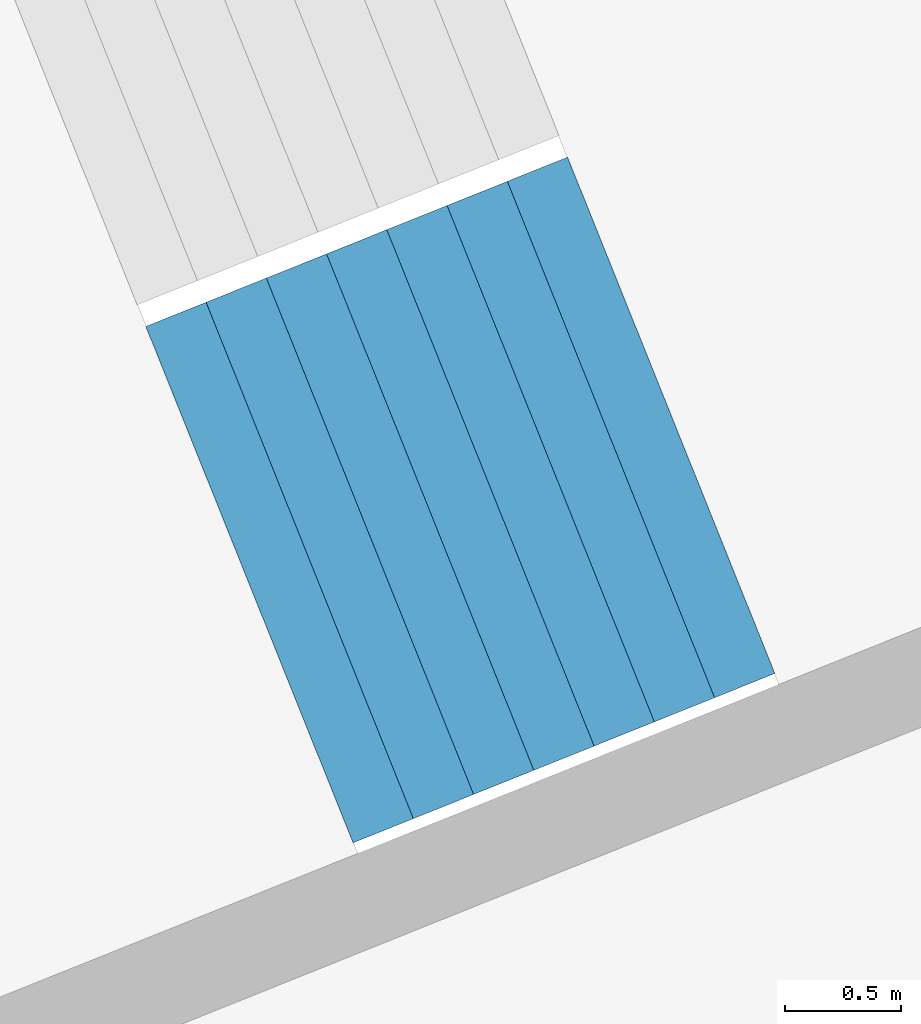
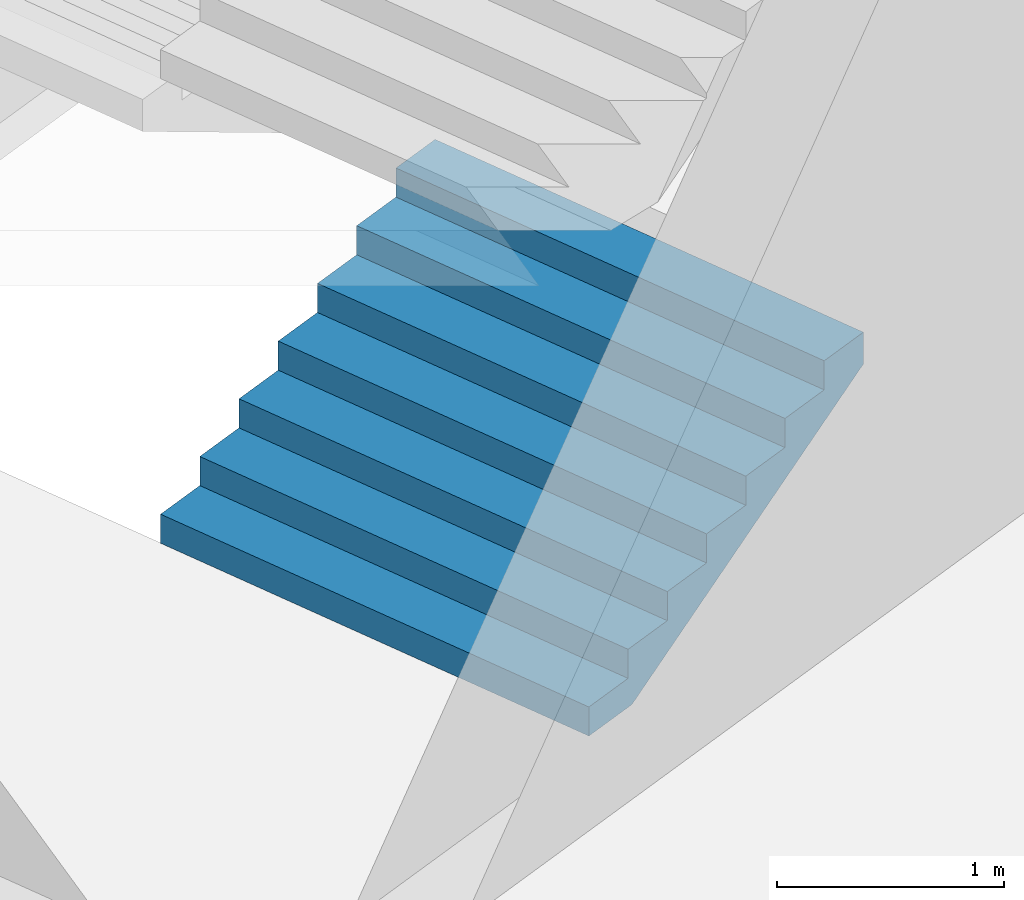
# One storey, part 65 of 73: 1 stair flight, 1 element without a shape of its own.
"""IFC4 building model written with IfcOpenShell, lengths in metres."""

from ifc_helpers import new_model, si_unit, direction, frame, origin, place, context, subcontext, project, spatial, triangles, material, type_object, element, aggregate, save


model = new_model("IFC4")

# Units and contexts
model_context = context("Model", 3, precision=1e-05, world=origin(), true_north=direction((0.0, 1.0)))
body_context = subcontext(model_context, "Body", "Model", "MODEL_VIEW")
ifc_project = project(units=[si_unit("LENGTHUNIT", "METRE"), si_unit("AREAUNIT", "SQUARE_METRE"), si_unit("VOLUMEUNIT", "CUBIC_METRE"), si_unit("PLANEANGLEUNIT", "RADIAN"), si_unit("MASSUNIT", "GRAM", prefix="KILO")], contexts=[model_context])

# Site, building, storey
site_placement = place(None, origin())
site = spatial("IfcSite", under=ifc_project, at=site_placement, CompositionType="ELEMENT")
building_placement = place(site_placement, origin())
building = spatial("IfcBuilding", under=site, at=building_placement, Name="Lantaw Convention Tower", CompositionType="ELEMENT")
storey_placement = place(building_placement, frame((0.0, 0.0, 27.0)))
storey = spatial("IfcBuildingStorey", under=building, at=storey_placement, Name="L04", CompositionType="ELEMENT", Elevation=27.0)

# Stair, stair flight
ifc_material = material(Name="Concrete C35/45", Category="concrete")
stair_type = type_object("IfcStairType", Name="Exit stair 2400 riser 156.25 in 4 flights", PredefinedType="HALF_TURN_STAIR", material=ifc_material)
stair_placement = place(storey_placement, origin())
stair = element("IfcStair", 1, at=stair_placement, inside=storey, type_object=stair_type, Name="Podium exit stair P2 L04", PredefinedType="HALF_TURN_STAIR")
stair_flight_type = type_object("IfcStairFlightType", Name="Stair flight 2400 riser 156.25", PredefinedType="STRAIGHT", material=ifc_material)
stair_flight_placement = place(storey_placement, frame((36.730712890625, 13.398193359375, 0.0), z_axis=(0.0, 0.0, 1.0), x_axis=(0.928015168305, 0.372542410198, 0.0)))
stair_flight = element("IfcStairFlight", 2, at=stair_flight_placement, type_object=stair_flight_type, Name="P2 flight 1", NumberOfRisers=8, NumberOfTreads=7, PredefinedType="STRAIGHT", RiserHeight=0.15625, TreadLength=0.28, context=body_context, shape_type="Tessellation", body=[
    triangles([(0.0, 1.199951171875, 0.0), (0.0, 1.199951171875, 0.15625), (0.28, 1.199951171875, 0.0), (0.28, 1.199951171875, 0.15625), (0.28, 1.199951171875, 0.3125), (0.3076200632058044, 1.199951171875, 0.0), (0.3076200632058044, 1.199951171875, 0.3125), (0.56, 1.199951171875, 0.14083701830033238), (0.56, 1.199951171875, 0.3125), (0.56, 1.199951171875, 0.46875), (0.8400000000000001, 1.199951171875, 0.29708701830033235), (0.8400000000000001, 1.199951171875, 0.46875), (0.8400000000000001, 1.199951171875, 0.625), (1.12, 1.199951171875, 0.45333701830033235), (1.12, 1.199951171875, 0.625), (1.12, 1.199951171875, 0.78125), (1.4000000000000001, 1.199951171875, 0.6095870183003324), (1.4000000000000001, 1.199951171875, 0.78125), (1.4000000000000001, 1.199951171875, 0.9375), (1.6800000000000002, 1.199951171875, 0.7658370183003324), (1.6800000000000002, 1.199951171875, 0.9375), (1.6800000000000002, 1.199951171875, 1.09375), (1.9600000000000002, 1.199951171875, 0.9220870183003324), (1.9600000000000002, 1.199951171875, 1.09375), (0.0, -1.199951171875, 0.0), (0.0, -1.199951171875, 0.15625), (0.28, -1.199951171875, 0.0), (0.28, -1.199951171875, 0.15625), (0.28, -1.199951171875, 0.3125), (0.3076200632058044, -1.199951171875, 0.0), (0.3076200632058044, -1.199951171875, 0.3125), (0.56, -1.199951171875, 0.14083701830033238), (0.56, -1.199951171875, 0.3125), (0.56, -1.199951171875, 0.46875), (0.8400000000000001, -1.199951171875, 0.29708701830033235), (0.8400000000000001, -1.199951171875, 0.46875), (0.8400000000000001, -1.199951171875, 0.625), (1.12, -1.199951171875, 0.45333701830033235), (1.12, -1.199951171875, 0.625), (1.12, -1.199951171875, 0.78125), (1.4000000000000001, -1.199951171875, 0.6095870183003324), (1.4000000000000001, -1.199951171875, 0.78125), (1.4000000000000001, -1.199951171875, 0.9375), (1.6800000000000002, -1.199951171875, 0.7658370183003324), (1.6800000000000002, -1.199951171875, 0.9375), (1.6800000000000002, -1.199951171875, 1.09375), (1.9600000000000002, -1.199951171875, 0.9220870183003324), (1.9600000000000002, -1.199951171875, 1.09375), (0.0, 0.239990234375, 0.15625), (0.0, 0.239990234375, 0.0), (0.0, 0.1919921875, 0.15625), (0.0, 0.1919921875, 0.0), (0.0, 0.143994140625, 0.15625), (0.0, 0.143994140625, 0.0), (0.0, 0.09599609375, 0.15625), (0.0, 0.09599609375, 0.0), (0.0, 0.047998046875, 0.15625), (0.0, 0.047998046875, 0.0), (0.0, 0.0, 0.15625), (0.0, 0.0, 0.0), (0.0, -0.047998046875, 0.15625), (0.0, -0.047998046875, 0.0), (0.0, -0.09599609375, 0.15625), (0.0, -0.09599609375, 0.0), (0.0, -0.143994140625, 0.15625), (0.0, -0.143994140625, 0.0), (0.0, -0.1919921875, 0.15625), (0.0, -0.1919921875, 0.0), (0.0, -0.239990234375, 0.15625), (0.0, -0.239990234375, 0.0), (0.28, 0.239990234375, 0.3125), (0.28, 0.239990234375, 0.15625), (0.28, 0.1919921875, 0.3125), (0.28, 0.1919921875, 0.15625), (0.28, 0.143994140625, 0.3125), (0.28, 0.143994140625, 0.15625), (0.28, 0.09599609375, 0.3125), (0.28, 0.09599609375, 0.15625), (0.28, 0.047998046875, 0.3125), (0.28, 0.047998046875, 0.15625), (0.28, 0.0, 0.3125), (0.28, 0.0, 0.15625), (0.28, -0.047998046875, 0.3125), (0.28, -0.047998046875, 0.15625), (0.28, -0.09599609375, 0.3125), (0.28, -0.09599609375, 0.15625), (0.28, -0.143994140625, 0.3125), (0.28, -0.143994140625, 0.15625), (0.28, -0.1919921875, 0.3125), (0.28, -0.1919921875, 0.15625), (0.28, -0.239990234375, 0.3125), (0.28, -0.239990234375, 0.15625), (0.56, 0.239990234375, 0.46875), (0.56, 0.239990234375, 0.3125), (0.56, 0.1919921875, 0.46875), (0.56, 0.1919921875, 0.3125), (0.56, 0.143994140625, 0.46875), (0.56, 0.143994140625, 0.3125), (0.56, 0.09599609375, 0.46875), (0.56, 0.09599609375, 0.3125), (0.56, 0.047998046875, 0.46875), (0.56, 0.047998046875, 0.3125), (0.56, 0.0, 0.46875), (0.56, 0.0, 0.3125), (0.56, -0.047998046875, 0.46875), (0.56, -0.047998046875, 0.3125), (0.56, -0.09599609375, 0.46875), (0.56, -0.09599609375, 0.3125), (0.56, -0.143994140625, 0.46875), (0.56, -0.143994140625, 0.3125), (0.56, -0.1919921875, 0.46875), (0.56, -0.1919921875, 0.3125), (0.56, -0.239990234375, 0.46875), (0.56, -0.239990234375, 0.3125), (0.8400000000000001, 0.239990234375, 0.625), (0.8400000000000001, 0.239990234375, 0.46875), (0.8400000000000001, 0.1919921875, 0.625), (0.8400000000000001, 0.1919921875, 0.46875), (0.8400000000000001, 0.143994140625, 0.625), (0.8400000000000001, 0.143994140625, 0.46875), (0.8400000000000001, 0.09599609375, 0.625), (0.8400000000000001, 0.09599609375, 0.46875), (0.8400000000000001, 0.047998046875, 0.625), (0.8400000000000001, 0.047998046875, 0.46875), (0.8400000000000001, 0.0, 0.625), (0.8400000000000001, 0.0, 0.46875), (0.8400000000000001, -0.047998046875, 0.625), (0.8400000000000001, -0.047998046875, 0.46875), (0.8400000000000001, -0.09599609375, 0.625), (0.8400000000000001, -0.09599609375, 0.46875), (0.8400000000000001, -0.143994140625, 0.625), (0.8400000000000001, -0.143994140625, 0.46875), (0.8400000000000001, -0.1919921875, 0.625), (0.8400000000000001, -0.1919921875, 0.46875), (0.8400000000000001, -0.239990234375, 0.625), (0.8400000000000001, -0.239990234375, 0.46875), (1.12, 0.239990234375, 0.78125), (1.12, 0.239990234375, 0.625), (1.12, 0.1919921875, 0.78125), (1.12, 0.1919921875, 0.625), (1.12, 0.143994140625, 0.78125), (1.12, 0.143994140625, 0.625), (1.12, 0.09599609375, 0.78125), (1.12, 0.09599609375, 0.625), (1.12, 0.047998046875, 0.78125), (1.12, 0.047998046875, 0.625), (1.12, 0.0, 0.78125), (1.12, 0.0, 0.625), (1.12, -0.047998046875, 0.78125), (1.12, -0.047998046875, 0.625), (1.12, -0.09599609375, 0.78125), (1.12, -0.09599609375, 0.625), (1.12, -0.143994140625, 0.78125), (1.12, -0.143994140625, 0.625), (1.12, -0.1919921875, 0.78125), (1.12, -0.1919921875, 0.625), (1.12, -0.239990234375, 0.78125), (1.12, -0.239990234375, 0.625), (1.4000000000000001, 0.239990234375, 0.9375), (1.4000000000000001, 0.239990234375, 0.78125), (1.4000000000000001, 0.1919921875, 0.9375), (1.4000000000000001, 0.1919921875, 0.78125), (1.4000000000000001, 0.143994140625, 0.9375), (1.4000000000000001, 0.143994140625, 0.78125), (1.4000000000000001, 0.09599609375, 0.9375), (1.4000000000000001, 0.09599609375, 0.78125), (1.4000000000000001, 0.047998046875, 0.9375), (1.4000000000000001, 0.047998046875, 0.78125), (1.4000000000000001, 0.0, 0.9375), (1.4000000000000001, 0.0, 0.78125), (1.4000000000000001, -0.047998046875, 0.9375), (1.4000000000000001, -0.047998046875, 0.78125), (1.4000000000000001, -0.09599609375, 0.9375), (1.4000000000000001, -0.09599609375, 0.78125), (1.4000000000000001, -0.143994140625, 0.9375), (1.4000000000000001, -0.143994140625, 0.78125), (1.4000000000000001, -0.1919921875, 0.9375), (1.4000000000000001, -0.1919921875, 0.78125), (1.4000000000000001, -0.239990234375, 0.9375), (1.4000000000000001, -0.239990234375, 0.78125), (1.6800000000000002, 0.239990234375, 1.09375), (1.6800000000000002, 0.239990234375, 0.9375), (1.6800000000000002, 0.1919921875, 1.09375), (1.6800000000000002, 0.1919921875, 0.9375), (1.6800000000000002, 0.143994140625, 1.09375), (1.6800000000000002, 0.143994140625, 0.9375), (1.6800000000000002, 0.09599609375, 1.09375), (1.6800000000000002, 0.09599609375, 0.9375), (1.6800000000000002, 0.047998046875, 1.09375), (1.6800000000000002, 0.047998046875, 0.9375), (1.6800000000000002, 0.0, 1.09375), (1.6800000000000002, 0.0, 0.9375), (1.6800000000000002, -0.047998046875, 1.09375), (1.6800000000000002, -0.047998046875, 0.9375), (1.6800000000000002, -0.09599609375, 1.09375), (1.6800000000000002, -0.09599609375, 0.9375), (1.6800000000000002, -0.143994140625, 1.09375), (1.6800000000000002, -0.143994140625, 0.9375), (1.6800000000000002, -0.1919921875, 1.09375), (1.6800000000000002, -0.1919921875, 0.9375), (1.6800000000000002, -0.239990234375, 1.09375), (1.6800000000000002, -0.239990234375, 0.9375), (0.3076200632058044, 0.239990234375, 0.3125), (0.3076200632058044, 0.1919921875, 0.3125), (0.3076200632058044, 0.143994140625, 0.3125), (0.3076200632058044, 0.09599609375, 0.3125), (0.3076200632058044, 0.047998046875, 0.3125), (0.3076200632058044, 0.0, 0.3125), (0.3076200632058044, -0.047998046875, 0.3125), (0.3076200632058044, -0.09599609375, 0.3125), (0.3076200632058044, -0.143994140625, 0.3125), (0.3076200632058044, -0.1919921875, 0.3125), (0.3076200632058044, -0.239990234375, 0.3125), (1.9600000000000002, 0.239990234375, 1.09375), (1.9600000000000002, 0.1919921875, 1.09375), (1.9600000000000002, 0.143994140625, 1.09375), (1.9600000000000002, 0.09599609375, 1.09375), (1.9600000000000002, 0.047998046875, 1.09375), (1.9600000000000002, 0.0, 1.09375), (1.9600000000000002, -0.047998046875, 1.09375), (1.9600000000000002, -0.09599609375, 1.09375), (1.9600000000000002, -0.143994140625, 1.09375), (1.9600000000000002, -0.1919921875, 1.09375), (1.9600000000000002, -0.239990234375, 1.09375), (1.9600000000000002, 0.239990234375, 0.9220870183003324), (1.9600000000000002, 0.1919921875, 0.9220870183003324), (1.9600000000000002, 0.143994140625, 0.9220870183003324), (1.9600000000000002, 0.09599609375, 0.9220870183003324), (1.9600000000000002, 0.047998046875, 0.9220870183003324), (1.9600000000000002, 0.0, 0.9220870183003324), (1.9600000000000002, -0.047998046875, 0.9220870183003324), (1.9600000000000002, -0.09599609375, 0.9220870183003324), (1.9600000000000002, -0.143994140625, 0.9220870183003324), (1.9600000000000002, -0.1919921875, 0.9220870183003324), (1.9600000000000002, -0.239990234375, 0.9220870183003324), (1.6800000000000002, 0.239990234375, 0.7658370183003324), (1.6800000000000002, 0.1919921875, 0.7658370183003324), (1.6800000000000002, 0.143994140625, 0.7658370183003324), (1.6800000000000002, 0.09599609375, 0.7658370183003324), (1.6800000000000002, 0.047998046875, 0.7658370183003324), (1.6800000000000002, 0.0, 0.7658370183003324), (1.6800000000000002, -0.047998046875, 0.7658370183003324), (1.6800000000000002, -0.09599609375, 0.7658370183003324), (1.6800000000000002, -0.143994140625, 0.7658370183003324), (1.6800000000000002, -0.1919921875, 0.7658370183003324), (1.6800000000000002, -0.239990234375, 0.7658370183003324), (1.4000000000000001, 0.239990234375, 0.6095870183003324), (1.4000000000000001, 0.1919921875, 0.6095870183003324), (1.4000000000000001, 0.143994140625, 0.6095870183003324), (1.4000000000000001, 0.09599609375, 0.6095870183003324), (1.4000000000000001, 0.047998046875, 0.6095870183003324), (1.4000000000000001, 0.0, 0.6095870183003324), (1.4000000000000001, -0.047998046875, 0.6095870183003324), (1.4000000000000001, -0.09599609375, 0.6095870183003324), (1.4000000000000001, -0.143994140625, 0.6095870183003324), (1.4000000000000001, -0.1919921875, 0.6095870183003324), (1.4000000000000001, -0.239990234375, 0.6095870183003324), (1.12, 0.239990234375, 0.45333701830033235), (1.12, 0.1919921875, 0.45333701830033235), (1.12, 0.143994140625, 0.45333701830033235), (1.12, 0.09599609375, 0.45333701830033235), (1.12, 0.047998046875, 0.45333701830033235), (1.12, 0.0, 0.45333701830033235), (1.12, -0.047998046875, 0.45333701830033235), (1.12, -0.09599609375, 0.45333701830033235), (1.12, -0.143994140625, 0.45333701830033235), (1.12, -0.1919921875, 0.45333701830033235), (1.12, -0.239990234375, 0.45333701830033235), (0.8400000000000001, 0.239990234375, 0.29708701830033235), (0.8400000000000001, 0.1919921875, 0.29708701830033235), (0.8400000000000001, 0.143994140625, 0.29708701830033235), (0.8400000000000001, 0.09599609375, 0.29708701830033235), (0.8400000000000001, 0.047998046875, 0.29708701830033235), (0.8400000000000001, 0.0, 0.29708701830033235), (0.8400000000000001, -0.047998046875, 0.29708701830033235), (0.8400000000000001, -0.09599609375, 0.29708701830033235), (0.8400000000000001, -0.143994140625, 0.29708701830033235), (0.8400000000000001, -0.1919921875, 0.29708701830033235), (0.8400000000000001, -0.239990234375, 0.29708701830033235), (0.56, 0.239990234375, 0.14083701830033238), (0.56, 0.1919921875, 0.14083701830033238), (0.56, 0.143994140625, 0.14083701830033238), (0.56, 0.09599609375, 0.14083701830033238), (0.56, 0.047998046875, 0.14083701830033238), (0.56, 0.0, 0.14083701830033238), (0.56, -0.047998046875, 0.14083701830033238), (0.56, -0.09599609375, 0.14083701830033238), (0.56, -0.143994140625, 0.14083701830033238), (0.56, -0.1919921875, 0.14083701830033238), (0.56, -0.239990234375, 0.14083701830033238), (0.3076200632058044, 0.239990234375, 0.0), (0.3076200632058044, 0.1919921875, 0.0), (0.3076200632058044, 0.143994140625, 0.0), (0.3076200632058044, 0.09599609375, 0.0), (0.3076200632058044, 0.047998046875, 0.0), (0.3076200632058044, 0.0, 0.0), (0.3076200632058044, -0.047998046875, 0.0), (0.3076200632058044, -0.09599609375, 0.0), (0.3076200632058044, -0.143994140625, 0.0), (0.3076200632058044, -0.1919921875, 0.0), (0.3076200632058044, -0.239990234375, 0.0), (0.28, 0.239990234375, 0.0), (0.28, 0.1919921875, 0.0), (0.28, 0.143994140625, 0.0), (0.28, 0.09599609375, 0.0), (0.28, 0.047998046875, 0.0), (0.28, 0.0, 0.0), (0.28, -0.047998046875, 0.0), (0.28, -0.09599609375, 0.0), (0.28, -0.143994140625, 0.0), (0.28, -0.1919921875, 0.0), (0.28, -0.239990234375, 0.0)], [[1, 4, 3], [1, 2, 4], [3, 4, 6], [4, 7, 6], [4, 5, 7], [6, 9, 8], [6, 7, 9], [8, 9, 11], [9, 12, 11], [9, 10, 12], [11, 12, 14], [12, 15, 14], [12, 13, 15], [14, 15, 17], [15, 18, 17], [15, 16, 18], [17, 18, 20], [18, 21, 20], [18, 19, 21], [20, 21, 23], [21, 24, 23], [21, 22, 24], [25, 27, 28], [25, 28, 26], [27, 30, 28], [28, 30, 31], [28, 31, 29], [30, 32, 33], [30, 33, 31], [32, 35, 33], [33, 35, 36], [33, 36, 34], [35, 38, 36], [36, 38, 39], [36, 39, 37], [38, 41, 39], [39, 41, 42], [39, 42, 40], [41, 44, 42], [42, 44, 45], [42, 45, 43], [44, 47, 45], [45, 47, 48], [45, 48, 46], [1, 49, 2], [1, 50, 49], [50, 51, 49], [50, 52, 51], [52, 53, 51], [52, 54, 53], [54, 55, 53], [54, 56, 55], [56, 57, 55], [56, 58, 57], [58, 59, 57], [58, 60, 59], [60, 61, 59], [60, 62, 61], [62, 63, 61], [62, 64, 63], [64, 65, 63], [64, 66, 65], [66, 67, 65], [66, 68, 67], [68, 69, 67], [68, 70, 69], [70, 26, 69], [70, 25, 26], [4, 71, 5], [4, 72, 71], [72, 73, 71], [72, 74, 73], [74, 75, 73], [74, 76, 75], [76, 77, 75], [76, 78, 77], [78, 79, 77], [78, 80, 79], [80, 81, 79], [80, 82, 81], [82, 83, 81], [82, 84, 83], [84, 85, 83], [84, 86, 85], [86, 87, 85], [86, 88, 87], [88, 89, 87], [88, 90, 89], [90, 91, 89], [90, 92, 91], [92, 29, 91], [92, 28, 29], [9, 93, 10], [9, 94, 93], [94, 95, 93], [94, 96, 95], [96, 97, 95], [96, 98, 97], [98, 99, 97], [98, 100, 99], [100, 101, 99], [100, 102, 101], [102, 103, 101], [102, 104, 103], [104, 105, 103], [104, 106, 105], [106, 107, 105], [106, 108, 107], [108, 109, 107], [108, 110, 109], [110, 111, 109], [110, 112, 111], [112, 113, 111], [112, 114, 113], [114, 34, 113], [114, 33, 34], [12, 115, 13], [12, 116, 115], [116, 117, 115], [116, 118, 117], [118, 119, 117], [118, 120, 119], [120, 121, 119], [120, 122, 121], [122, 123, 121], [122, 124, 123], [124, 125, 123], [124, 126, 125], [126, 127, 125], [126, 128, 127], [128, 129, 127], [128, 130, 129], [130, 131, 129], [130, 132, 131], [132, 133, 131], [132, 134, 133], [134, 135, 133], [134, 136, 135], [136, 37, 135], [136, 36, 37], [15, 137, 16], [15, 138, 137], [138, 139, 137], [138, 140, 139], [140, 141, 139], [140, 142, 141], [142, 143, 141], [142, 144, 143], [144, 145, 143], [144, 146, 145], [146, 147, 145], [146, 148, 147], [148, 149, 147], [148, 150, 149], [150, 151, 149], [150, 152, 151], [152, 153, 151], [152, 154, 153], [154, 155, 153], [154, 156, 155], [156, 157, 155], [156, 158, 157], [158, 40, 157], [158, 39, 40], [18, 159, 19], [18, 160, 159], [160, 161, 159], [160, 162, 161], [162, 163, 161], [162, 164, 163], [164, 165, 163], [164, 166, 165], [166, 167, 165], [166, 168, 167], [168, 169, 167], [168, 170, 169], [170, 171, 169], [170, 172, 171], [172, 173, 171], [172, 174, 173], [174, 175, 173], [174, 176, 175], [176, 177, 175], [176, 178, 177], [178, 179, 177], [178, 180, 179], [180, 43, 179], [180, 42, 43], [21, 181, 22], [21, 182, 181], [182, 183, 181], [182, 184, 183], [184, 185, 183], [184, 186, 185], [186, 187, 185], [186, 188, 187], [188, 189, 187], [188, 190, 189], [190, 191, 189], [190, 192, 191], [192, 193, 191], [192, 194, 193], [194, 195, 193], [194, 196, 195], [196, 197, 195], [196, 198, 197], [198, 199, 197], [198, 200, 199], [200, 201, 199], [200, 202, 201], [202, 46, 201], [202, 45, 46], [2, 72, 4], [2, 49, 72], [49, 74, 72], [49, 51, 74], [51, 76, 74], [51, 53, 76], [53, 78, 76], [53, 55, 78], [55, 80, 78], [55, 57, 80], [57, 82, 80], [57, 59, 82], [59, 84, 82], [59, 61, 84], [61, 86, 84], [61, 63, 86], [63, 88, 86], [63, 65, 88], [65, 90, 88], [65, 67, 90], [67, 92, 90], [67, 69, 92], [69, 28, 92], [69, 26, 28], [5, 203, 7], [5, 71, 203], [71, 204, 203], [71, 73, 204], [73, 205, 204], [73, 75, 205], [75, 206, 205], [75, 77, 206], [77, 207, 206], [77, 79, 207], [79, 208, 207], [79, 81, 208], [81, 209, 208], [81, 83, 209], [83, 210, 209], [83, 85, 210], [85, 211, 210], [85, 87, 211], [87, 212, 211], [87, 89, 212], [89, 213, 212], [89, 91, 213], [91, 31, 213], [91, 29, 31], [7, 94, 9], [7, 203, 94], [203, 96, 94], [203, 204, 96], [204, 98, 96], [204, 205, 98], [205, 100, 98], [205, 206, 100], [206, 102, 100], [206, 207, 102], [207, 104, 102], [207, 208, 104], [208, 106, 104], [208, 209, 106], [209, 108, 106], [209, 210, 108], [210, 110, 108], [210, 211, 110], [211, 112, 110], [211, 212, 112], [212, 114, 112], [212, 213, 114], [213, 33, 114], [213, 31, 33], [10, 116, 12], [10, 93, 116], [93, 118, 116], [93, 95, 118], [95, 120, 118], [95, 97, 120], [97, 122, 120], [97, 99, 122], [99, 124, 122], [99, 101, 124], [101, 126, 124], [101, 103, 126], [103, 128, 126], [103, 105, 128], [105, 130, 128], [105, 107, 130], [107, 132, 130], [107, 109, 132], [109, 134, 132], [109, 111, 134], [111, 136, 134], [111, 113, 136], [113, 36, 136], [113, 34, 36], [13, 138, 15], [13, 115, 138], [115, 140, 138], [115, 117, 140], [117, 142, 140], [117, 119, 142], [119, 144, 142], [119, 121, 144], [121, 146, 144], [121, 123, 146], [123, 148, 146], [123, 125, 148], [125, 150, 148], [125, 127, 150], [127, 152, 150], [127, 129, 152], [129, 154, 152], [129, 131, 154], [131, 156, 154], [131, 133, 156], [133, 158, 156], [133, 135, 158], [135, 39, 158], [135, 37, 39], [16, 160, 18], [16, 137, 160], [137, 162, 160], [137, 139, 162], [139, 164, 162], [139, 141, 164], [141, 166, 164], [141, 143, 166], [143, 168, 166], [143, 145, 168], [145, 170, 168], [145, 147, 170], [147, 172, 170], [147, 149, 172], [149, 174, 172], [149, 151, 174], [151, 176, 174], [151, 153, 176], [153, 178, 176], [153, 155, 178], [155, 180, 178], [155, 157, 180], [157, 42, 180], [157, 40, 42], [19, 182, 21], [19, 159, 182], [159, 184, 182], [159, 161, 184], [161, 186, 184], [161, 163, 186], [163, 188, 186], [163, 165, 188], [165, 190, 188], [165, 167, 190], [167, 192, 190], [167, 169, 192], [169, 194, 192], [169, 171, 194], [171, 196, 194], [171, 173, 196], [173, 198, 196], [173, 175, 198], [175, 200, 198], [175, 177, 200], [177, 202, 200], [177, 179, 202], [179, 45, 202], [179, 43, 45], [22, 214, 24], [22, 181, 214], [181, 215, 214], [181, 183, 215], [183, 216, 215], [183, 185, 216], [185, 217, 216], [185, 187, 217], [187, 218, 217], [187, 189, 218], [189, 219, 218], [189, 191, 219], [191, 220, 219], [191, 193, 220], [193, 221, 220], [193, 195, 221], [195, 222, 221], [195, 197, 222], [197, 223, 222], [197, 199, 223], [199, 224, 223], [199, 201, 224], [201, 48, 224], [201, 46, 48], [24, 225, 23], [24, 214, 225], [214, 226, 225], [214, 215, 226], [215, 227, 226], [215, 216, 227], [216, 228, 227], [216, 217, 228], [217, 229, 228], [217, 218, 229], [218, 230, 229], [218, 219, 230], [219, 231, 230], [219, 220, 231], [220, 232, 231], [220, 221, 232], [221, 233, 232], [221, 222, 233], [222, 234, 233], [222, 223, 234], [223, 235, 234], [223, 224, 235], [224, 47, 235], [224, 48, 47], [23, 236, 20], [23, 225, 236], [225, 237, 236], [225, 226, 237], [226, 238, 237], [226, 227, 238], [227, 239, 238], [227, 228, 239], [228, 240, 239], [228, 229, 240], [229, 241, 240], [229, 230, 241], [230, 242, 241], [230, 231, 242], [231, 243, 242], [231, 232, 243], [232, 244, 243], [232, 233, 244], [233, 245, 244], [233, 234, 245], [234, 246, 245], [234, 235, 246], [235, 44, 246], [235, 47, 44], [20, 247, 17], [20, 236, 247], [236, 248, 247], [236, 237, 248], [237, 249, 248], [237, 238, 249], [238, 250, 249], [238, 239, 250], [239, 251, 250], [239, 240, 251], [240, 252, 251], [240, 241, 252], [241, 253, 252], [241, 242, 253], [242, 254, 253], [242, 243, 254], [243, 255, 254], [243, 244, 255], [244, 256, 255], [244, 245, 256], [245, 257, 256], [245, 246, 257], [246, 41, 257], [246, 44, 41], [17, 258, 14], [17, 247, 258], [247, 259, 258], [247, 248, 259], [248, 260, 259], [248, 249, 260], [249, 261, 260], [249, 250, 261], [250, 262, 261], [250, 251, 262], [251, 263, 262], [251, 252, 263], [252, 264, 263], [252, 253, 264], [253, 265, 264], [253, 254, 265], [254, 266, 265], [254, 255, 266], [255, 267, 266], [255, 256, 267], [256, 268, 267], [256, 257, 268], [257, 38, 268], [257, 41, 38], [14, 269, 11], [14, 258, 269], [258, 270, 269], [258, 259, 270], [259, 271, 270], [259, 260, 271], [260, 272, 271], [260, 261, 272], [261, 273, 272], [261, 262, 273], [262, 274, 273], [262, 263, 274], [263, 275, 274], [263, 264, 275], [264, 276, 275], [264, 265, 276], [265, 277, 276], [265, 266, 277], [266, 278, 277], [266, 267, 278], [267, 279, 278], [267, 268, 279], [268, 35, 279], [268, 38, 35], [11, 280, 8], [11, 269, 280], [269, 281, 280], [269, 270, 281], [270, 282, 281], [270, 271, 282], [271, 283, 282], [271, 272, 283], [272, 284, 283], [272, 273, 284], [273, 285, 284], [273, 274, 285], [274, 286, 285], [274, 275, 286], [275, 287, 286], [275, 276, 287], [276, 288, 287], [276, 277, 288], [277, 289, 288], [277, 278, 289], [278, 290, 289], [278, 279, 290], [279, 32, 290], [279, 35, 32], [8, 291, 6], [8, 280, 291], [280, 292, 291], [280, 281, 292], [281, 293, 292], [281, 282, 293], [282, 294, 293], [282, 283, 294], [283, 295, 294], [283, 284, 295], [284, 296, 295], [284, 285, 296], [285, 297, 296], [285, 286, 297], [286, 298, 297], [286, 287, 298], [287, 299, 298], [287, 288, 299], [288, 300, 299], [288, 289, 300], [289, 301, 300], [289, 290, 301], [290, 30, 301], [290, 32, 30], [6, 302, 3], [6, 291, 302], [291, 303, 302], [291, 292, 303], [292, 304, 303], [292, 293, 304], [293, 305, 304], [293, 294, 305], [294, 306, 305], [294, 295, 306], [295, 307, 306], [295, 296, 307], [296, 308, 307], [296, 297, 308], [297, 309, 308], [297, 298, 309], [298, 310, 309], [298, 299, 310], [299, 311, 310], [299, 300, 311], [300, 312, 311], [300, 301, 312], [301, 27, 312], [301, 30, 27], [3, 50, 1], [3, 302, 50], [302, 52, 50], [302, 303, 52], [303, 54, 52], [303, 304, 54], [304, 56, 54], [304, 305, 56], [305, 58, 56], [305, 306, 58], [306, 60, 58], [306, 307, 60], [307, 62, 60], [307, 308, 62], [308, 64, 62], [308, 309, 64], [309, 66, 64], [309, 310, 66], [310, 68, 66], [310, 311, 68], [311, 70, 68], [311, 312, 70], [312, 25, 70], [312, 27, 25]], closed=True),
])
aggregate(stair, [stair_flight])

save(model, "model.ifc")
